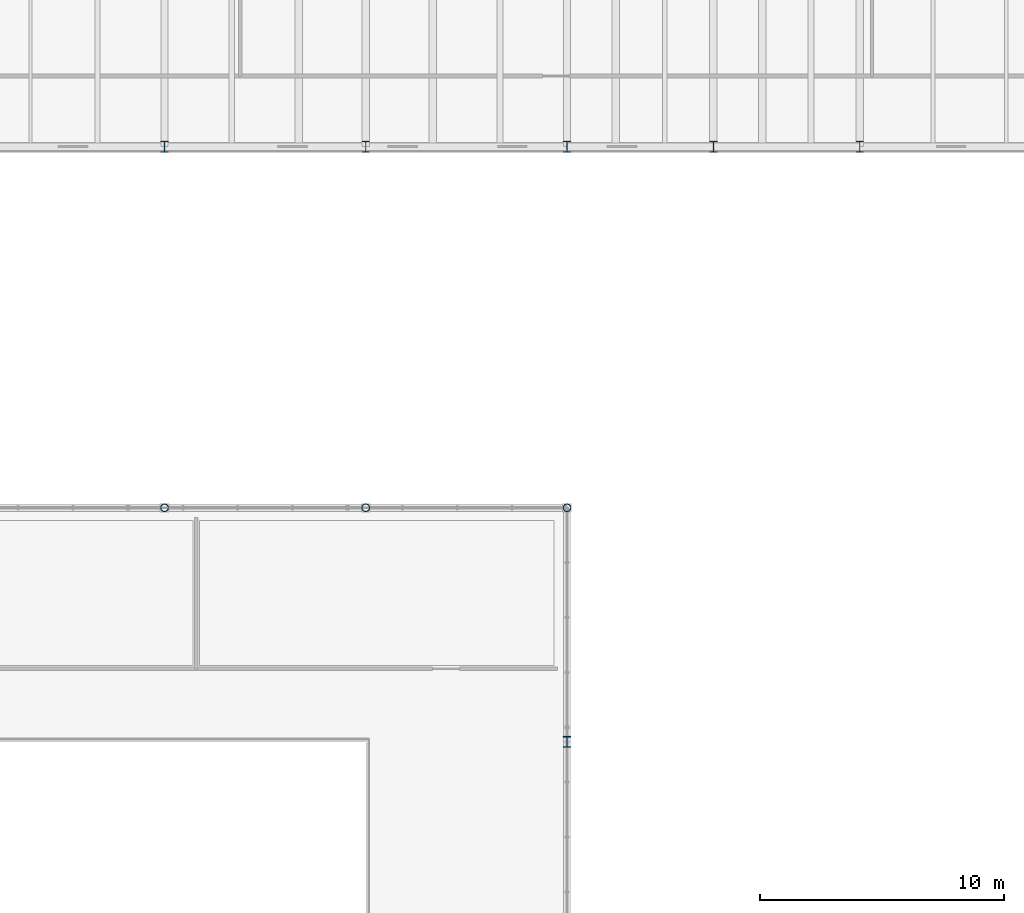
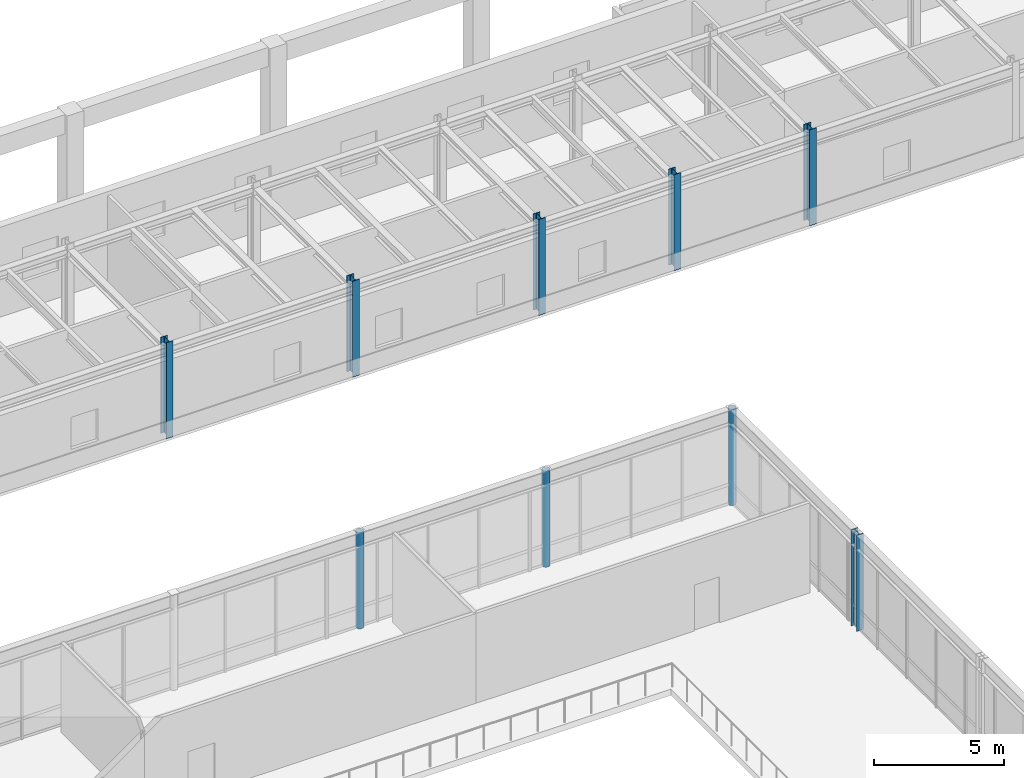
# One storey, part 12 of 64: 9 columns.
"""IFC4 building model written with IfcOpenShell, lengths in metres."""

from ifc_helpers import new_model, si_unit, direction, frame, origin, origin_2d, place, context, subcontext, project, spatial, hollow_circle, i_section, extrude, material, material_profile, profile_set, type_object, element, save


model = new_model("IFC4")

# Units and contexts
model_context = context("Model", 3, precision=1e-05, world=origin(), true_north=direction((0.0, 1.0)))
body_context = subcontext(model_context, "Body", "Model", "MODEL_VIEW")
ifc_project = project(units=[si_unit("LENGTHUNIT", "METRE"), si_unit("AREAUNIT", "SQUARE_METRE"), si_unit("VOLUMEUNIT", "CUBIC_METRE"), si_unit("PLANEANGLEUNIT", "RADIAN"), si_unit("MASSUNIT", "GRAM", prefix="KILO")], contexts=[model_context])

# Site, building, storey
site_placement = place(None, origin())
site = spatial("IfcSite", under=ifc_project, at=site_placement, CompositionType="ELEMENT")
building_placement = place(site_placement, origin())
building = spatial("IfcBuilding", under=site, at=building_placement, Name="Montealbar Specialist Clinic", CompositionType="ELEMENT")
storey_placement = place(building_placement, frame((0.0, 0.0, 5.10009765625)))
storey = spatial("IfcBuildingStorey", under=building, at=storey_placement, Name="L01", CompositionType="ELEMENT", Elevation=5.10009765625)

# Columns
ifc_material = material(Name="Steel S355", Category="steel")
ifc_material_profile_1 = material_profile(ifc_material, hollow_circle(Radius=0.161865234375, WallThickness=0.01611328125, at=origin_2d()), Name="CHS 323.9x16.0", Category="steel")
ifc_profile_set_1 = profile_set([ifc_material_profile_1], Name="Steel S355")
column_type_1 = type_object("IfcColumnType", Name="COL-CHS-HALL-EXT", PredefinedType="COLUMN", material=ifc_profile_set_1)
for number, where, z_axis, x_axis, name in (
    (1, (82.5, 81.0, 0.0), (0.0, 0.0, 1.0), (1.0, 0.0, 0.0), "Column 11/K L01"),
    (2, (90.75, 81.0, 0.0), (0.0, 0.0, 1.0), (1.0, 0.0, 0.0), "Column 12/K L01"),
    (3, (99.0, 81.0, 0.0), (0.0, 0.0, 1.0), (1.0, 0.0, 0.0), "Column 13/K L01"),
):
    element("IfcColumn", number, at=place(storey_placement, frame(where, z_axis=z_axis, x_axis=x_axis)), inside=storey, type_object=column_type_1, Name=name, PredefinedType="COLUMN", context=body_context, shape_type="SweptSolid", body=[
        extrude(hollow_circle(Radius=0.161865234375, WallThickness=0.01611328125, at=origin_2d()), origin(), (0.0, 0.0, 1.0), 4.5),
    ])
ifc_material_profile_2 = material_profile(ifc_material, i_section(OverallWidth=0.300048828125, OverallDepth=0.449951171875, WebThickness=0.013916015625, FlangeThickness=0.02587890625, FilletRadius=0.027099609375, at=origin_2d()), Name="HEB 450", Category="steel")
ifc_profile_set_2 = profile_set([ifc_material_profile_2], Name="Steel S355")
column_type_2 = type_object("IfcColumnType", Name="COL-S-L01-STD-EXT", PredefinedType="COLUMN", material=ifc_profile_set_2)
for number, where, z_axis, x_axis, name in (
    (4, (82.5, 95.800048828125, 0.0), (0.0, 0.0, 1.0), (1.0, 0.0, 0.0), "Column 11/M L01"),
    (5, (90.75, 95.800048828125, 0.0), (0.0, 0.0, 1.0), (1.0, 0.0, 0.0), "Column 12/M L01"),
    (6, (99.0, 71.39990234375, 0.0), (0.0, 0.0, 1.0), (1.0, 0.0, 0.0), "Column 13/J L01"),
    (7, (99.0, 95.800048828125, 0.0), (0.0, 0.0, 1.0), (1.0, 0.0, 0.0), "Column 13/M L01"),
    (8, (105.0, 95.800048828125, 0.0), (0.0, 0.0, 1.0), (1.0, 0.0, 0.0), "Column 14/M L01"),
    (9, (111.0, 95.800048828125, 0.0), (0.0, 0.0, 1.0), (1.0, 0.0, 0.0), "Column 15/M L01"),
):
    element("IfcColumn", number, at=place(storey_placement, frame(where, z_axis=z_axis, x_axis=x_axis)), inside=storey, type_object=column_type_2, Name=name, PredefinedType="COLUMN", context=body_context, shape_type="SweptSolid", body=[
        extrude(i_section(OverallWidth=0.300048828125, OverallDepth=0.449951171875, WebThickness=0.013916015625, FlangeThickness=0.02587890625, FilletRadius=0.027099609375, at=origin_2d()), origin(), (0.0, 0.0, 1.0), 4.5),
    ])

save(model, "model.ifc")
